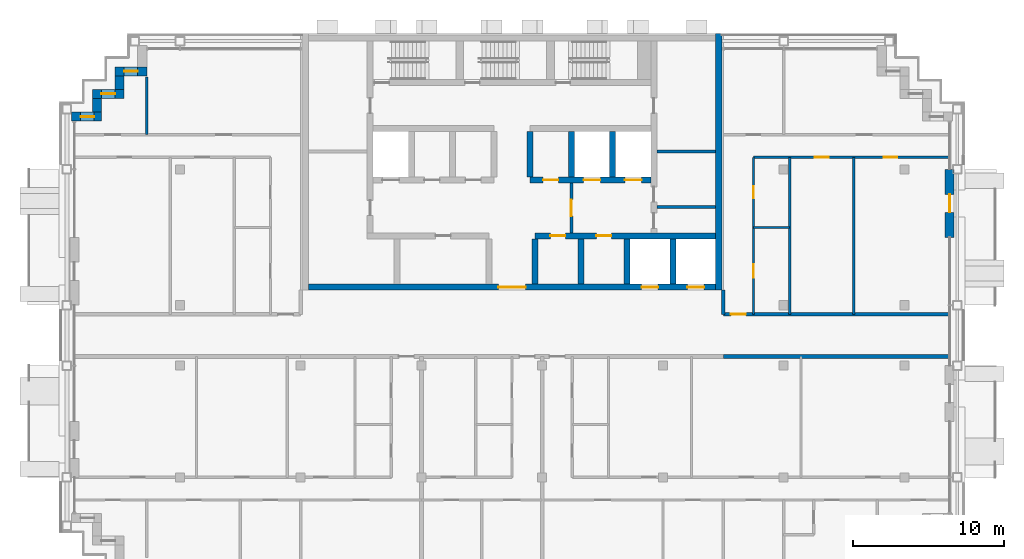
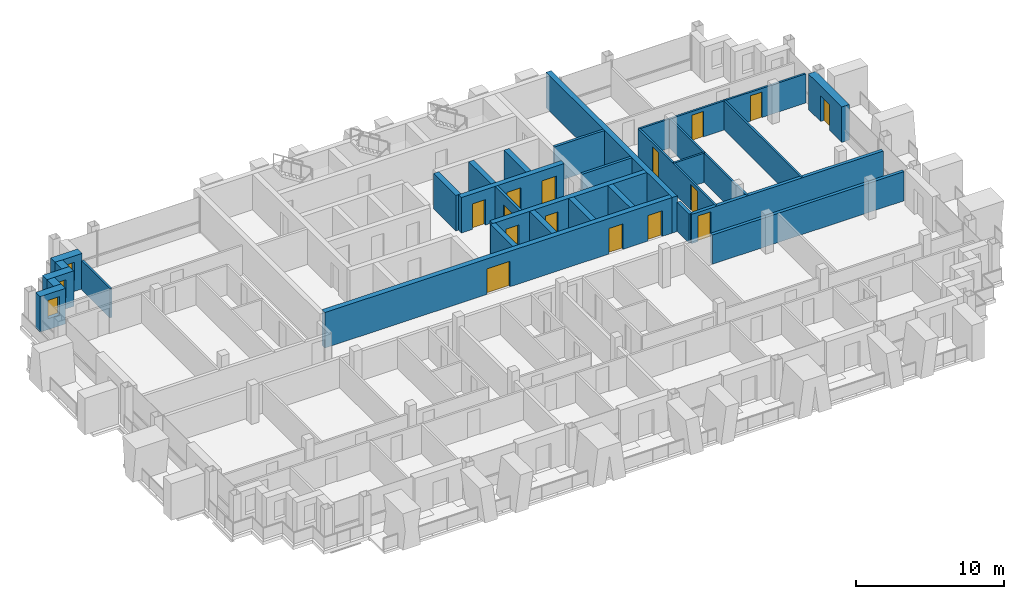
# One storey, part 10 of 16: 29 walls, 15 doors, 3 windows, 18 openings.
"""IFC4 building model written with IfcOpenShell, lengths in metres."""

import ifcopenshell
import ifcopenshell.guid

model = None  # the IFC model being written
_history = None  # IfcOwnerHistory: only IFC2X3 demands one
_inside = {}  # id of a spatial element -> (the spatial element, [elements in it])
_under = {}  # id of a project, library or spatial element -> (it, [spatial elements below it])
_declared = {}  # id of a project -> (the project, [libraries it declares])
_typed = {}  # id of a type object -> (the type object, [elements of that type])
_made_of = {}  # id of a material, layer set ... -> (it, [elements and type objects made of it])


def new_model(schema):
    """Start an empty IFC model of exactly this schema.

    Asked for "IFC4X3", IfcOpenShell would pick the latest addendum, in which some entities
    have other attributes; the version numbers below select the first issue.
    IFC2X3 requires an IfcOwnerHistory on every rooted entity: one is made here for all.
    """
    global model, _history
    if schema == "IFC4X3":
        model = ifcopenshell.file(schema_version=(4, 3, 0, 0))
    else:
        model = ifcopenshell.file(schema=schema)
    _inside.clear()
    _under.clear()
    _declared.clear()
    _typed.clear()
    _made_of.clear()
    _history = None
    if model.schema == "IFC2X3":
        org = make("IfcOrganization", Name="unknown")
        user = make(
            "IfcPersonAndOrganization",
            ThePerson=make("IfcPerson", FamilyName="unknown"),
            TheOrganization=org,
        )
        app = make(
            "IfcApplication",
            ApplicationDeveloper=org,
            Version="unknown",
            ApplicationFullName="unknown",
            ApplicationIdentifier="unknown",
        )
        _history = make(
            "IfcOwnerHistory",
            OwningUser=user,
            OwningApplication=app,
            ChangeAction="ADDED",
            CreationDate=0,
        )
    return model


def make(cls, **values):
    """One entity of the class cls with the attributes given. An attribute that is None is left unset."""
    return model.create_entity(
        cls, **{name: value for name, value in values.items() if value is not None}
    )


def rooted(cls, **values):
    """An entity with a GlobalId (a new one), such as an element, a storey or a relation."""
    return make(cls, GlobalId=ifcopenshell.guid.new(), OwnerHistory=_history, **values)


def si_unit(unit_type, name, prefix=None):
    """IfcSIUnit, for example si_unit("LENGTHUNIT", "METRE", prefix="MILLI")."""
    return make("IfcSIUnit", UnitType=unit_type, Prefix=prefix, Name=name)


def assignment(units):
    """IfcUnitAssignment: the units of a project."""
    return None if units is None else make("IfcUnitAssignment", Units=units)


def point(xyz):
    """IfcCartesianPoint."""
    return None if xyz is None else make("IfcCartesianPoint", Coordinates=xyz)


def direction(xyz):
    """IfcDirection."""
    return None if xyz is None else make("IfcDirection", DirectionRatios=xyz)


def frame(location, z_axis=None, x_axis=None):
    """IfcAxis2Placement3D, a coordinate frame: its origin and axes. An axis left out is left unset."""
    return make(
        "IfcAxis2Placement3D",
        Location=point(location),
        Axis=direction(z_axis),
        RefDirection=direction(x_axis),
    )


def frame_2d(location, x_axis=None):
    """IfcAxis2Placement2D, a coordinate frame in the plane: its origin and x axis."""
    return make(
        "IfcAxis2Placement2D", Location=point(location), RefDirection=direction(x_axis)
    )


def origin():
    """The frame at (0, 0, 0) with its axes left unset."""
    return frame((0.0, 0.0, 0.0))


def place(relative_to, where):
    """IfcLocalPlacement: puts the frame where relative to a parent placement (None: the world)."""
    return make(
        "IfcLocalPlacement", PlacementRelTo=relative_to, RelativePlacement=where
    )


def context(
    kind, dimensions, precision=None, world=None, true_north=None, identifier=None
):
    """IfcGeometricRepresentationContext, for example the 3D "Model" context."""
    return make(
        "IfcGeometricRepresentationContext",
        ContextIdentifier=identifier,
        ContextType=kind,
        CoordinateSpaceDimension=dimensions,
        Precision=precision,
        WorldCoordinateSystem=world,
        TrueNorth=true_north,
    )


def subcontext(parent, identifier, kind, view, scale=None):
    """IfcGeometricRepresentationSubContext, for example "Body" below "Model"."""
    return make(
        "IfcGeometricRepresentationSubContext",
        ContextIdentifier=identifier,
        ContextType=kind,
        ParentContext=parent,
        TargetScale=scale,
        TargetView=view,
    )


def project(units=None, contexts=None):
    """IfcProject with its units and contexts."""
    return rooted(
        "IfcProject",
        Name="project",
        RepresentationContexts=contexts,
        UnitsInContext=assignment(units),
    )


def spatial(cls, under=None, at=None, **own):
    """A site, building, storey or space (cls), placed at a placement, below another one or the project."""
    s = rooted(cls, ObjectPlacement=at, **own)
    if under is not None:
        _under.setdefault(under.id(), (under, []))[1].append(s)
    return s


def profile(cls, at=None, kind="AREA", **sizes):
    """A parametric profile (cls). Its sizes go by their IFC names, for example OverallWidth=200.0."""
    return make(cls, ProfileType=kind, Position=at, **sizes)


def rectangle(**sizes):
    """IfcRectangleProfileDef."""
    return profile("IfcRectangleProfileDef", **sizes)


def extrude(swept, where, along, depth):
    """IfcExtrudedAreaSolid: the profile swept, set in the frame where, extruded along a direction by depth."""
    return make(
        "IfcExtrudedAreaSolid",
        SweptArea=swept,
        Position=where,
        ExtrudedDirection=direction(along),
        Depth=depth,
    )


def shape(context_of_items, identifier, shape_type, items):
    """IfcShapeRepresentation: the items that make up one representation, for example the "Body"."""
    return make(
        "IfcShapeRepresentation",
        ContextOfItems=context_of_items,
        RepresentationIdentifier=identifier,
        RepresentationType=shape_type,
        Items=items,
    )


def material(Name=None, Category=None):
    """IfcMaterial."""
    return make("IfcMaterial", Name=Name, Category=Category)


def layer(
    of_material, thickness, ventilated=None, Name=None, Category=None, Priority=None
):
    """IfcMaterialLayer: one layer of a wall or slab, of a material (None: an air gap)."""
    return make(
        "IfcMaterialLayer",
        Material=of_material,
        LayerThickness=thickness,
        IsVentilated=ventilated,
        Name=Name,
        Category=Category,
        Priority=Priority,
    )


def layer_set(layers, Name=None):
    """IfcMaterialLayerSet."""
    return make("IfcMaterialLayerSet", MaterialLayers=layers, LayerSetName=Name)


def made_of(thing, what):
    """Note that an element or type object is made of a material, layer set ...; save() writes the relation."""
    if what is not None:
        _made_of.setdefault(what.id(), (what, []))[1].append(thing)
    return thing


def type_object(cls, material=None, **own):
    """A type object (cls), such as IfcWallType, which elements share."""
    return made_of(rooted(cls, **own), material)


def element(
    cls,
    number,
    at=None,
    inside=None,
    cuts=None,
    type_object=None,
    material=None,
    context=None,
    identifier="Body",
    shape_type=None,
    held_by="IfcProductDefinitionShape",
    body=None,
    shapes=None,
    **own,
):
    """One element of the class cls, such as IfcWall. Its Tag is "e" and its number.

    at: its placement. inside: the storey or other place that contains it. cuts: it is an
    opening in that element (IfcRelVoidsElement). A single representation is given by context,
    identifier, shape_type and body (its items); several are given by shapes. held_by: the class
    of the entity that holds the representations. save() writes the other relations.
    """
    e = rooted(cls, Tag="e%d" % number, ObjectPlacement=at, **own)
    if body is not None:
        shapes = [shape(context, identifier, shape_type, body)]
    if shapes is not None:
        e.Representation = make(held_by, Representations=shapes)
    if inside is not None:
        _inside.setdefault(inside.id(), (inside, []))[1].append(e)
    if cuts is not None:
        rooted(
            "IfcRelVoidsElement", RelatingBuildingElement=cuts, RelatedOpeningElement=e
        )
    if type_object is not None:
        _typed.setdefault(type_object.id(), (type_object, []))[1].append(e)
    return made_of(e, material)


def fill(opening, filler):
    """IfcRelFillsElement: the door or window that sits in an opening."""
    return rooted(
        "IfcRelFillsElement",
        RelatingOpeningElement=opening,
        RelatedBuildingElement=filler,
    )


def aggregate(whole, parts):
    """IfcRelAggregates: a whole, such as a stair, and the parts it consists of."""
    return rooted("IfcRelAggregates", RelatingObject=whole, RelatedObjects=parts)


def save(model, path):
    """Write the relations noted so far, then the file.

    IfcRelAggregates (storeys below a building ...), IfcRelContainedInSpatialStructure (elements
    in a storey), IfcRelDefinesByType, IfcRelAssociatesMaterial and IfcRelDeclares: one each for
    every whole, place, type object, material and project.
    """
    for whole, parts in _under.values():
        aggregate(whole, parts)
    for where, things in _inside.values():
        rooted(
            "IfcRelContainedInSpatialStructure",
            RelatedElements=things,
            RelatingStructure=where,
        )
    for kind, things in _typed.values():
        rooted("IfcRelDefinesByType", RelatedObjects=things, RelatingType=kind)
    for what, things in _made_of.values():
        rooted("IfcRelAssociatesMaterial", RelatedObjects=things, RelatingMaterial=what)
    for by, libraries in _declared.values():
        rooted("IfcRelDeclares", RelatingContext=by, RelatedDefinitions=libraries)
    model.write(path)


model = new_model("IFC4")

# Units and contexts
model_context = context("Model", 3, precision=1e-05, world=origin(), true_north=direction((0.0, 1.0)))
body_context = subcontext(model_context, "Body", "Model", "MODEL_VIEW")
ifc_project = project(units=[si_unit("LENGTHUNIT", "METRE"), si_unit("AREAUNIT", "SQUARE_METRE"), si_unit("VOLUMEUNIT", "CUBIC_METRE"), si_unit("PLANEANGLEUNIT", "RADIAN"), si_unit("MASSUNIT", "GRAM", prefix="KILO")], contexts=[model_context])

# Site, building, storey
site_placement = place(None, origin())
site = spatial("IfcSite", under=ifc_project, at=site_placement, CompositionType="ELEMENT")
building_placement = place(site_placement, origin())
building = spatial("IfcBuilding", under=site, at=building_placement, Name="Vidyagriha Tower", CompositionType="ELEMENT")
storey_placement = place(building_placement, frame((0.0, 0.0, 217.199951171875)))
storey = spatial("IfcBuildingStorey", under=building, at=storey_placement, Name="L56", CompositionType="ELEMENT", Elevation=217.199951171875)

# Wall, opening, window
ifc_material_1 = material(Name="Precast concrete C40/50 with brick facing", Category="concrete")
ifc_layer_1 = layer(ifc_material_1, 0.60009765625)
ifc_layer_set_1 = layer_set([ifc_layer_1], Name="Precast concrete C40/50 with brick facing")
wall_type_1 = type_object("IfcWallType", Name="Brick-faced precast wall 600", PredefinedType="STANDARD", material=ifc_layer_set_1)
wall_1_placement = place(storey_placement, frame((-24.199951171875, 17.5, 0.0), z_axis=(0.0, 0.0, 1.0), x_axis=(-1.0, 0.0, 0.0)))
wall_1 = element("IfcWall", 1, at=wall_1_placement, inside=storey, type_object=wall_type_1, Name="Stepped corner wall L56 R11", PredefinedType="STANDARD", context=body_context, shape_type="SweptSolid", body=[
    extrude(rectangle(XDim=2.10009765625, YDim=0.60009765625, at=frame_2d((1.050048828125, 0.0))), origin(), (0.0, 0.0, 1.0), 2.920166015625),
])
opening_1_placement = place(wall_1_placement, frame((0.60009765625, 0.0, 0.89990234375)))
opening_1 = element("IfcOpeningElement", 2, at=opening_1_placement, cuts=wall_1, Name="Opening WN1", PredefinedType="OPENING", context=body_context, shape_type="SweptSolid", body=[
    extrude(rectangle(XDim=0.89990234375, YDim=1.5, at=frame_2d((0.449951171875, 0.75))), frame((0.0, 0.31005859375, 0.0), z_axis=(0.0, -1.0, 0.0), x_axis=(1.0, 0.0, 0.0)), (0.0, 0.0, 1.0), 0.6201171875),
])
ifc_material_2 = material(Name="Aluminium and glass window", Category="aluminium")
window_type = type_object("IfcWindowType", Name="Reveal window 900x1500", PartitioningType="NOTDEFINED", PredefinedType="WINDOW", material=ifc_material_2)
window_1_placement = place(opening_1_placement, origin())
window_1 = element("IfcWindow", 3, at=window_1_placement, inside=storey, type_object=window_type, Name="Reveal window L56 R11", OverallHeight=1.5, OverallWidth=0.89990234375, PartitioningType="SINGLE_PANEL", PredefinedType="WINDOW", context=body_context, shape_type="SweptSolid", body=[
    extrude(rectangle(XDim=0.89990234375, YDim=1.5, at=frame_2d((0.449951171875, 0.75))), frame((0.0, 0.030029296875, 0.0), z_axis=(0.0, -1.0, 0.0), x_axis=(1.0, 0.0, 0.0)), (0.0, 0.0, 1.0), 0.06005859375),
])
fill(opening_1, window_1)

# Wall
wall_2_placement = place(storey_placement, frame((-26.0, 17.199951171875, 0.0), z_axis=(0.0, 0.0, 1.0), x_axis=(0.0, -1.0, 0.0)))
element("IfcWall", 4, at=wall_2_placement, inside=storey, type_object=wall_type_1, Name="Stepped corner wall L56 R12", PredefinedType="STANDARD", context=body_context, shape_type="SweptSolid", body=[
    extrude(rectangle(XDim=0.89990234375, YDim=0.60009765625, at=frame_2d((0.449951171875, 0.0))), origin(), (0.0, 0.0, 1.0), 2.920166015625),
])

# Wall, opening, window
wall_3_placement = place(storey_placement, frame((-25.699951171875, 16.0, 0.0), z_axis=(0.0, 0.0, 1.0), x_axis=(-1.0, 0.0, 0.0)))
wall_3 = element("IfcWall", 5, at=wall_3_placement, inside=storey, type_object=wall_type_1, Name="Stepped corner wall L56 R13", PredefinedType="STANDARD", context=body_context, shape_type="SweptSolid", body=[
    extrude(rectangle(XDim=2.10009765625, YDim=0.60009765625, at=frame_2d((1.050048828125, 0.0))), origin(), (0.0, 0.0, 1.0), 2.920166015625),
])
opening_2_placement = place(wall_3_placement, frame((0.60009765625, 0.0, 0.89990234375)))
opening_2 = element("IfcOpeningElement", 6, at=opening_2_placement, cuts=wall_3, Name="Opening WN1", PredefinedType="OPENING", context=body_context, shape_type="SweptSolid", body=[
    extrude(rectangle(XDim=0.89990234375, YDim=1.5, at=frame_2d((0.449951171875, 0.75))), frame((0.0, 0.31005859375, 0.0), z_axis=(0.0, -1.0, 0.0), x_axis=(1.0, 0.0, 0.0)), (0.0, 0.0, 1.0), 0.6201171875),
])
window_2_placement = place(opening_2_placement, origin())
window_2 = element("IfcWindow", 7, at=window_2_placement, inside=storey, type_object=window_type, Name="Reveal window L56 R13", OverallHeight=1.5, OverallWidth=0.89990234375, PartitioningType="SINGLE_PANEL", PredefinedType="WINDOW", context=body_context, shape_type="SweptSolid", body=[
    extrude(rectangle(XDim=0.89990234375, YDim=1.5, at=frame_2d((0.449951171875, 0.75))), frame((0.0, 0.030029296875, 0.0), z_axis=(0.0, -1.0, 0.0), x_axis=(1.0, 0.0, 0.0)), (0.0, 0.0, 1.0), 0.06005859375),
])
fill(opening_2, window_2)

# Wall
wall_4_placement = place(storey_placement, frame((-27.5, 15.699951171875, 0.0), z_axis=(0.0, 0.0, 1.0), x_axis=(0.0, -1.0, 0.0)))
element("IfcWall", 8, at=wall_4_placement, inside=storey, type_object=wall_type_1, Name="Stepped corner wall L56 R14", PredefinedType="STANDARD", context=body_context, shape_type="SweptSolid", body=[
    extrude(rectangle(XDim=0.89990234375, YDim=0.60009765625, at=frame_2d((0.449951171875, 0.0))), origin(), (0.0, 0.0, 1.0), 2.920166015625),
])

# Wall, opening, window
wall_5_placement = place(storey_placement, frame((-27.199951171875, 14.5, 0.0), z_axis=(0.0, 0.0, 1.0), x_axis=(-1.0, 0.0, 0.0)))
wall_5 = element("IfcWall", 9, at=wall_5_placement, inside=storey, type_object=wall_type_1, Name="Stepped corner wall L56 R15", PredefinedType="STANDARD", context=body_context, shape_type="SweptSolid", body=[
    extrude(rectangle(XDim=2.0, YDim=0.60009765625, at=frame_2d((1.0, 0.0))), origin(), (0.0, 0.0, 1.0), 2.920166015625),
])
opening_3_placement = place(wall_5_placement, frame((0.489990234375, 0.0, 0.89990234375)))
opening_3 = element("IfcOpeningElement", 10, at=opening_3_placement, cuts=wall_5, Name="Opening WN1", PredefinedType="OPENING", context=body_context, shape_type="SweptSolid", body=[
    extrude(rectangle(XDim=0.89990234375, YDim=1.5, at=frame_2d((0.449951171875, 0.75))), frame((0.0, 0.31005859375, 0.0), z_axis=(0.0, -1.0, 0.0), x_axis=(1.0, 0.0, 0.0)), (0.0, 0.0, 1.0), 0.6201171875),
])
window_3_placement = place(opening_3_placement, origin())
window_3 = element("IfcWindow", 11, at=window_3_placement, inside=storey, type_object=window_type, Name="Reveal window L56 R15", OverallHeight=1.5, OverallWidth=0.89990234375, PartitioningType="SINGLE_PANEL", PredefinedType="WINDOW", context=body_context, shape_type="SweptSolid", body=[
    extrude(rectangle(XDim=0.89990234375, YDim=1.5, at=frame_2d((0.449951171875, 0.75))), frame((0.0, 0.030029296875, 0.0), z_axis=(0.0, -1.0, 0.0), x_axis=(1.0, 0.0, 0.0)), (0.0, 0.0, 1.0), 0.06005859375),
])
fill(opening_3, window_3)

# Wall, opening, door
wall_6_placement = place(storey_placement, frame((29.0, 6.5, 0.0), z_axis=(0.0, 0.0, 1.0), x_axis=(0.0, 1.0, 0.0)))
wall_6 = element("IfcWall", 12, at=wall_6_placement, inside=storey, type_object=wall_type_1, Name="Brick door bay wall L56 R30.6", PredefinedType="STANDARD", context=body_context, shape_type="SweptSolid", body=[
    extrude(rectangle(XDim=4.5, YDim=0.60009765625, at=frame_2d((2.25, 0.0))), origin(), (0.0, 0.0, 1.0), 2.920166015625),
])
opening_4_placement = place(wall_6_placement, frame((1.64990234375, 0.0, 0.0)))
opening_4 = element("IfcOpeningElement", 13, at=opening_4_placement, cuts=wall_6, Name="Opening D56-68", PredefinedType="OPENING", context=body_context, shape_type="SweptSolid", body=[
    extrude(rectangle(XDim=1.199951171875, YDim=2.10009765625, at=frame_2d((0.60009765625, 1.050048828125))), frame((0.0, 0.31005859375, 0.0), z_axis=(0.0, -1.0, 0.0), x_axis=(1.0, 0.0, 0.0)), (0.0, 0.0, 1.0), 0.6201171875),
])
ifc_material_3 = material(Name="Aluminium framed glazed sliding door", Category="aluminium")
door_type_1 = type_object("IfcDoorType", Name="Balcony sliding door 1200x2100", OperationType="NOTDEFINED", PredefinedType="DOOR", material=ifc_material_3)
door_1_placement = place(opening_4_placement, origin())
door_1 = element("IfcDoor", 14, at=door_1_placement, inside=storey, type_object=door_type_1, Name="Door D56-68", OperationType="SLIDING_TO_LEFT", OverallHeight=2.10009765625, OverallWidth=1.199951171875, PredefinedType="DOOR", context=body_context, shape_type="SweptSolid", body=[
    extrude(rectangle(XDim=1.199951171875, YDim=2.10009765625, at=frame_2d((0.60009765625, 1.050048828125))), frame((0.0, 0.02490234375, 0.0), z_axis=(0.0, -1.0, 0.0), x_axis=(1.0, 0.0, 0.0)), (0.0, 0.0, 1.0), 0.050048828125),
])
fill(opening_4, door_1)

# Wall
ifc_material_4 = material(Name="Concrete C60/75", Category="concrete")
ifc_layer_2 = layer(ifc_material_4, 0.39990234375)
ifc_layer_set_2 = layer_set([ifc_layer_2], Name="Concrete C60/75")
wall_type_2 = type_object("IfcWallType", Name="Core shear wall 400 mm", PredefinedType="SHEAR", material=ifc_layer_set_2)
wall_7_placement = place(storey_placement, frame((13.699951171875, 3.0, 0.0), z_axis=(0.0, 0.0, 1.0), x_axis=(0.0, 1.0, 0.0)))
element("IfcWall", 15, at=wall_7_placement, inside=storey, type_object=wall_type_2, Name="Core east wall", PredefinedType="SHEAR", context=body_context, shape_type="SweptSolid", body=[
    extrude(rectangle(XDim=17.0, YDim=0.39990234375, at=frame_2d((8.5, 0.0))), origin(), (0.0, 0.0, 1.0), 2.920166015625),
])

# Wall, openings, doors
wall_8_placement = place(storey_placement, frame((-13.5, 3.199951171875, 0.0)))
wall_8 = element("IfcWall", 16, at=wall_8_placement, inside=storey, type_object=wall_type_2, Name="Core front wall", PredefinedType="SHEAR", context=body_context, shape_type="SweptSolid", body=[
    extrude(rectangle(XDim=27.0, YDim=0.39990234375, at=frame_2d((13.5, 0.0))), origin(), (0.0, 0.0, 1.0), 2.920166015625),
])
opening_5_placement = place(wall_8_placement, frame((22.083251953125, 0.0, 0.0)))
opening_5 = element("IfcOpeningElement", 17, at=opening_5_placement, cuts=wall_8, Name="Opening LD56-01", PredefinedType="OPENING", context=body_context, shape_type="SweptSolid", body=[
    extrude(rectangle(XDim=1.10009765625, YDim=2.10009765625, at=frame_2d((0.550048828125, 1.050048828125))), frame((0.0, 0.2099609375, 0.0), z_axis=(0.0, -1.0, 0.0), x_axis=(1.0, 0.0, 0.0)), (0.0, 0.0, 1.0), 0.419921875),
])
opening_6_placement = place(wall_8_placement, frame((25.127685546875, 0.0, 0.0)))
opening_6 = element("IfcOpeningElement", 18, at=opening_6_placement, cuts=wall_8, Name="Opening LD56-02", PredefinedType="OPENING", context=body_context, shape_type="SweptSolid", body=[
    extrude(rectangle(XDim=1.10009765625, YDim=2.10009765625, at=frame_2d((0.550048828125, 1.050048828125))), frame((0.0, 0.2099609375, 0.0), z_axis=(0.0, -1.0, 0.0), x_axis=(1.0, 0.0, 0.0)), (0.0, 0.0, 1.0), 0.419921875),
])
opening_7_placement = place(wall_8_placement, frame((12.60009765625, 0.0, 0.0)))
opening_7 = element("IfcOpeningElement", 19, at=opening_7_placement, cuts=wall_8, Name="Opening D56-01", PredefinedType="OPENING", context=body_context, shape_type="SweptSolid", body=[
    extrude(rectangle(XDim=1.800048828125, YDim=2.10009765625, at=frame_2d((0.89990234375, 1.050048828125))), frame((0.0, 0.2099609375, 0.0), z_axis=(0.0, -1.0, 0.0), x_axis=(1.0, 0.0, 0.0)), (0.0, 0.0, 1.0), 0.419921875),
])
ifc_material_5 = material(Name="Hollow metal door leaf")
door_type_2 = type_object("IfcDoorType", Name="Core lobby double door 1800 x 2100 mm EI 60", OperationType="NOTDEFINED", PredefinedType="DOOR", material=ifc_material_5)
door_2_placement = place(opening_7_placement, frame((1.800048828125, 0.0, 0.0), z_axis=(0.0, 0.0, 1.0), x_axis=(-1.0, 0.0, 0.0)))
door_2 = element("IfcDoor", 20, at=door_2_placement, inside=storey, type_object=door_type_2, Name="Core entrance door L56", OperationType="DOUBLE_DOOR_SINGLE_SWING", OverallHeight=2.10009765625, OverallWidth=1.800048828125, PredefinedType="DOOR", context=body_context, shape_type="SweptSolid", body=[
    extrude(rectangle(XDim=1.800048828125, YDim=2.10009765625, at=frame_2d((0.89990234375, 1.050048828125))), frame((0.0, 0.02490234375, 0.0), z_axis=(0.0, -1.0, 0.0), x_axis=(1.0, 0.0, 0.0)), (0.0, 0.0, 1.0), 0.050048828125),
])
fill(opening_7, door_2)
ifc_material_6 = material(Name="Stainless steel sliding door panel", Category="steel")
door_type_3 = type_object("IfcDoorType", Name="Lift landing door 1100 x 2100 mm EI 90", OperationType="NOTDEFINED", PredefinedType="DOOR", material=ifc_material_6)
door_3_placement = place(opening_5_placement, origin())
door_3 = element("IfcDoor", 21, at=door_3_placement, inside=storey, type_object=door_type_3, Name="Landing door MR1 L56", OperationType="SLIDING_TO_LEFT", OverallHeight=2.10009765625, OverallWidth=1.10009765625, PredefinedType="DOOR", context=body_context, shape_type="SweptSolid", body=[
    extrude(rectangle(XDim=1.10009765625, YDim=2.10009765625, at=frame_2d((0.550048828125, 1.050048828125))), frame((0.0, 0.02490234375, 0.0), z_axis=(0.0, -1.0, 0.0), x_axis=(1.0, 0.0, 0.0)), (0.0, 0.0, 1.0), 0.050048828125),
])
fill(opening_5, door_3)
door_4_placement = place(opening_6_placement, origin())
door_4 = element("IfcDoor", 22, at=door_4_placement, inside=storey, type_object=door_type_3, Name="Landing door MR2 L56", OperationType="SLIDING_TO_LEFT", OverallHeight=2.10009765625, OverallWidth=1.10009765625, PredefinedType="DOOR", context=body_context, shape_type="SweptSolid", body=[
    extrude(rectangle(XDim=1.10009765625, YDim=2.10009765625, at=frame_2d((0.550048828125, 1.050048828125))), frame((0.0, 0.02490234375, 0.0), z_axis=(0.0, -1.0, 0.0), x_axis=(1.0, 0.0, 0.0)), (0.0, 0.0, 1.0), 0.050048828125),
])
fill(opening_6, door_4)

wall_9_placement = place(storey_placement, frame((1.522216796875, 6.60009765625, 0.0)))
wall_9 = element("IfcWall", 23, at=wall_9_placement, inside=storey, type_object=wall_type_2, Name="Core lobby south wall east", PredefinedType="SHEAR", context=body_context, shape_type="SweptSolid", body=[
    extrude(rectangle(XDim=11.977783203125, YDim=0.39990234375, at=frame_2d((5.98876953125, 0.0))), origin(), (0.0, 0.0, 1.0), 2.920166015625),
])
opening_8_placement = place(wall_9_placement, frame((1.022216796875, 0.0, 0.0)))
opening_8 = element("IfcOpeningElement", 24, at=opening_8_placement, cuts=wall_9, Name="Opening D56-03", PredefinedType="OPENING", context=body_context, shape_type="SweptSolid", body=[
    extrude(rectangle(XDim=1.0, YDim=2.10009765625, at=frame_2d((0.5, 1.050048828125))), frame((0.0, 0.2099609375, 0.0), z_axis=(0.0, -1.0, 0.0), x_axis=(1.0, 0.0, 0.0)), (0.0, 0.0, 1.0), 0.419921875),
])
opening_9_placement = place(wall_9_placement, frame((4.066650390625, 0.0, 0.0)))
opening_9 = element("IfcOpeningElement", 25, at=opening_9_placement, cuts=wall_9, Name="Opening D56-04", PredefinedType="OPENING", context=body_context, shape_type="SweptSolid", body=[
    extrude(rectangle(XDim=1.0, YDim=2.10009765625, at=frame_2d((0.5, 1.050048828125))), frame((0.0, 0.2099609375, 0.0), z_axis=(0.0, -1.0, 0.0), x_axis=(1.0, 0.0, 0.0)), (0.0, 0.0, 1.0), 0.419921875),
])
ifc_material_7 = material(Name="Hollow metal door leaf")
door_type_4 = type_object("IfcDoorType", Name="Core room door 1000 x 2100 mm EI 60", OperationType="NOTDEFINED", PredefinedType="DOOR", material=ifc_material_7)
door_5_placement = place(opening_8_placement, origin())
door_5 = element("IfcDoor", 26, at=door_5_placement, inside=storey, type_object=door_type_4, Name="Door Pressurisation Plant Room 56.02", OperationType="SINGLE_SWING_RIGHT", OverallHeight=2.10009765625, OverallWidth=1.0, PredefinedType="DOOR", context=body_context, shape_type="SweptSolid", body=[
    extrude(rectangle(XDim=1.0, YDim=2.10009765625, at=frame_2d((0.5, 1.050048828125))), frame((0.0, 0.02490234375, 0.0), z_axis=(0.0, -1.0, 0.0), x_axis=(1.0, 0.0, 0.0)), (0.0, 0.0, 1.0), 0.050048828125),
])
fill(opening_8, door_5)
door_6_placement = place(opening_9_placement, origin())
door_6 = element("IfcDoor", 27, at=door_6_placement, inside=storey, type_object=door_type_4, Name="Door Mechanical Riser Room 56.03", OperationType="SINGLE_SWING_RIGHT", OverallHeight=2.10009765625, OverallWidth=1.0, PredefinedType="DOOR", context=body_context, shape_type="SweptSolid", body=[
    extrude(rectangle(XDim=1.0, YDim=2.10009765625, at=frame_2d((0.5, 1.050048828125))), frame((0.0, 0.02490234375, 0.0), z_axis=(0.0, -1.0, 0.0), x_axis=(1.0, 0.0, 0.0)), (0.0, 0.0, 1.0), 0.050048828125),
])
fill(opening_9, door_6)

# Walls
for number, where, z_axis, x_axis, name in (
    (28, (1.522216796875, 3.39990234375, 0.0), (0.0, 0.0, 1.0), (0.0, 1.0, 0.0), "Core bay wall S5"),
    (29, (4.566650390625, 3.39990234375, 0.0), (0.0, 0.0, 1.0), (0.0, 1.0, 0.0), "Core bay wall S6"),
    (30, (7.611083984375, 3.39990234375, 0.0), (0.0, 0.0, 1.0), (0.0, 1.0, 0.0), "Core bay wall S7"),
    (31, (10.655517578125, 3.39990234375, 0.0), (0.0, 0.0, 1.0), (0.0, 1.0, 0.0), "Core bay wall S8"),
):
    element("IfcWall", number, at=place(storey_placement, frame(where, z_axis=z_axis, x_axis=x_axis)), inside=storey, type_object=wall_type_2, Name=name, PredefinedType="SHEAR", context=body_context, shape_type="SweptSolid", body=[
        extrude(rectangle(XDim=3.0, YDim=0.39990234375, at=frame_2d((1.5, 0.0))), origin(), (0.0, 0.0, 1.0), 2.920166015625),
    ])

# Wall, openings, doors
wall_10_placement = place(storey_placement, frame((1.199951171875, 10.300048828125, 0.0)))
wall_10 = element("IfcWall", 32, at=wall_10_placement, inside=storey, type_object=wall_type_2, Name="Core row N front wall", PredefinedType="SHEAR", context=body_context, shape_type="SweptSolid", body=[
    extrude(rectangle(XDim=8.0, YDim=0.39990234375, at=frame_2d((4.0, 0.0))), origin(), (0.0, 0.0, 1.0), 2.920166015625),
])
opening_10_placement = place(wall_10_placement, frame((3.550048828125, 0.0, 0.0)))
opening_10 = element("IfcOpeningElement", 33, at=opening_10_placement, cuts=wall_10, Name="Opening LD56-04", PredefinedType="OPENING", context=body_context, shape_type="SweptSolid", body=[
    extrude(rectangle(XDim=1.10009765625, YDim=2.10009765625, at=frame_2d((0.550048828125, 1.050048828125))), frame((0.0, 0.2099609375, 0.0), z_axis=(0.0, -1.0, 0.0), x_axis=(1.0, 0.0, 0.0)), (0.0, 0.0, 1.0), 0.419921875),
])
opening_11_placement = place(wall_10_placement, frame((6.283203125, 0.0, 0.0)))
opening_11 = element("IfcOpeningElement", 34, at=opening_11_placement, cuts=wall_10, Name="Opening LD56-05", PredefinedType="OPENING", context=body_context, shape_type="SweptSolid", body=[
    extrude(rectangle(XDim=1.10009765625, YDim=2.10009765625, at=frame_2d((0.550048828125, 1.050048828125))), frame((0.0, 0.2099609375, 0.0), z_axis=(0.0, -1.0, 0.0), x_axis=(1.0, 0.0, 0.0)), (0.0, 0.0, 1.0), 0.419921875),
])
opening_12_placement = place(wall_10_placement, frame((0.86669921875, 0.0, 0.0)))
opening_12 = element("IfcOpeningElement", 35, at=opening_12_placement, cuts=wall_10, Name="Opening D56-07", PredefinedType="OPENING", context=body_context, shape_type="SweptSolid", body=[
    extrude(rectangle(XDim=1.0, YDim=2.10009765625, at=frame_2d((0.5, 1.050048828125))), frame((0.0, 0.2099609375, 0.0), z_axis=(0.0, -1.0, 0.0), x_axis=(1.0, 0.0, 0.0)), (0.0, 0.0, 1.0), 0.419921875),
])
door_7_placement = place(opening_12_placement, frame((1.0, 0.0, 0.0), z_axis=(0.0, 0.0, 1.0), x_axis=(-1.0, 0.0, 0.0)))
door_7 = element("IfcDoor", 36, at=door_7_placement, inside=storey, type_object=door_type_4, Name="Door Pressurisation Plant Room 56.16", OperationType="SINGLE_SWING_LEFT", OverallHeight=2.10009765625, OverallWidth=1.0, PredefinedType="DOOR", context=body_context, shape_type="SweptSolid", body=[
    extrude(rectangle(XDim=1.0, YDim=2.10009765625, at=frame_2d((0.5, 1.050048828125))), frame((0.0, 0.02490234375, 0.0), z_axis=(0.0, -1.0, 0.0), x_axis=(1.0, 0.0, 0.0)), (0.0, 0.0, 1.0), 0.050048828125),
])
fill(opening_12, door_7)
door_8_placement = place(opening_10_placement, origin())
door_8 = element("IfcDoor", 37, at=door_8_placement, inside=storey, type_object=door_type_3, Name="Landing door FF1 L56", OperationType="SLIDING_TO_LEFT", OverallHeight=2.10009765625, OverallWidth=1.10009765625, PredefinedType="DOOR", context=body_context, shape_type="SweptSolid", body=[
    extrude(rectangle(XDim=1.10009765625, YDim=2.10009765625, at=frame_2d((0.550048828125, 1.050048828125))), frame((0.0, 0.02490234375, 0.0), z_axis=(0.0, -1.0, 0.0), x_axis=(1.0, 0.0, 0.0)), (0.0, 0.0, 1.0), 0.050048828125),
])
fill(opening_10, door_8)
door_9_placement = place(opening_11_placement, origin())
door_9 = element("IfcDoor", 38, at=door_9_placement, inside=storey, type_object=door_type_3, Name="Landing door FF2 L56", OperationType="SLIDING_TO_LEFT", OverallHeight=2.10009765625, OverallWidth=1.10009765625, PredefinedType="DOOR", context=body_context, shape_type="SweptSolid", body=[
    extrude(rectangle(XDim=1.10009765625, YDim=2.10009765625, at=frame_2d((0.550048828125, 1.050048828125))), frame((0.0, 0.02490234375, 0.0), z_axis=(0.0, -1.0, 0.0), x_axis=(1.0, 0.0, 0.0)), (0.0, 0.0, 1.0), 0.050048828125),
])
fill(opening_11, door_9)

# Walls
for number, where, z_axis, x_axis, name in (
    (39, (1.199951171875, 10.5, 0.0), (0.0, 0.0, 1.0), (0.0, 1.0, 0.0), "Core bay wall N4"),
    (40, (3.933349609375, 10.5, 0.0), (0.0, 0.0, 1.0), (0.0, 1.0, 0.0), "Core bay wall N5"),
    (41, (6.666748046875, 10.5, 0.0), (0.0, 0.0, 1.0), (0.0, 1.0, 0.0), "Core bay wall N6"),
):
    element("IfcWall", number, at=place(storey_placement, frame(where, z_axis=z_axis, x_axis=x_axis)), inside=storey, type_object=wall_type_2, Name=name, PredefinedType="SHEAR", context=body_context, shape_type="SweptSolid", body=[
        extrude(rectangle(XDim=3.0, YDim=0.39990234375, at=frame_2d((1.5, 0.0))), origin(), (0.0, 0.0, 1.0), 2.920166015625),
    ])
ifc_material_8 = material(Name="Fired clay brick masonry", Category="masonry")
ifc_layer_3 = layer(ifc_material_8, 0.25)
ifc_layer_set_3 = layer_set([ifc_layer_3], Name="Fired clay brick masonry")
wall_type_3 = type_object("IfcWallType", Name="Fired clay brick corridor wall 250", PredefinedType="PARTITIONING", material=ifc_layer_set_3)
wall_11_placement = place(storey_placement, frame((28.919921875, -1.39990234375, 0.0), z_axis=(0.0, 0.0, 1.0), x_axis=(-1.0, 0.0, 0.0)))
element("IfcWall", 42, at=wall_11_placement, inside=storey, type_object=wall_type_3, Name="Wall all-L56-w061", PredefinedType="PARTITIONING", context=body_context, shape_type="SweptSolid", body=[
    extrude(rectangle(XDim=14.919921875, YDim=0.25, at=frame_2d((7.4599609375, 0.0))), origin(), (0.0, 0.0, 1.0), 2.400146484375),
])

# Wall, opening, door
wall_12_placement = place(storey_placement, frame((14.0, 1.39990234375, 0.0)))
wall_12 = element("IfcWall", 43, at=wall_12_placement, inside=storey, type_object=wall_type_3, Name="Wall all-L56-w091", PredefinedType="PARTITIONING", context=body_context, shape_type="SweptSolid", body=[
    extrude(rectangle(XDim=14.919921875, YDim=0.25, at=frame_2d((7.4599609375, 0.0))), origin(), (0.0, 0.0, 1.0), 2.400146484375),
])
opening_13_placement = place(wall_12_placement, frame((0.5, 0.0, 0.0)))
opening_13 = element("IfcOpeningElement", 44, at=opening_13_placement, cuts=wall_12, Name="Opening D56-58", PredefinedType="OPENING", context=body_context, shape_type="SweptSolid", body=[
    extrude(rectangle(XDim=1.0, YDim=2.10009765625, at=frame_2d((0.5, 1.050048828125))), frame((0.0, 0.135009765625, 0.0), z_axis=(0.0, -1.0, 0.0), x_axis=(1.0, 0.0, 0.0)), (0.0, 0.0, 1.0), 0.27001953125),
])
ifc_material_9 = material(Name="Fire-rated timber door leaf EI 60", Category="wood")
door_type_5 = type_object("IfcDoorType", Name="Flat entrance fire door 1000x2100", OperationType="NOTDEFINED", PredefinedType="DOOR", material=ifc_material_9)
door_10_placement = place(opening_13_placement, origin())
door_10 = element("IfcDoor", 45, at=door_10_placement, inside=storey, type_object=door_type_5, Name="Door D56-58", OperationType="SINGLE_SWING_LEFT", OverallHeight=2.10009765625, OverallWidth=1.0, PredefinedType="DOOR", context=body_context, shape_type="SweptSolid", body=[
    extrude(rectangle(XDim=1.0, YDim=2.10009765625, at=frame_2d((0.5, 1.050048828125))), frame((0.0, 0.02490234375, 0.0), z_axis=(0.0, -1.0, 0.0), x_axis=(1.0, 0.0, 0.0)), (0.0, 0.0, 1.0), 0.050048828125),
])
fill(opening_13, door_10)

# Walls
wall_13_placement = place(storey_placement, frame((14.0, 1.39990234375, 0.0), z_axis=(0.0, 0.0, 1.0), x_axis=(0.0, 1.0, 0.0)))
element("IfcWall", 46, at=wall_13_placement, inside=storey, type_object=wall_type_3, Name="Wall all-L56-w094", PredefinedType="PARTITIONING", context=body_context, shape_type="SweptSolid", body=[
    extrude(rectangle(XDim=1.60009765625, YDim=0.25, at=frame_2d((0.800048828125, 0.0))), origin(), (0.0, 0.0, 1.0), 2.400146484375),
])
ifc_material_10 = material(Name="Gypsum board partition")
ifc_layer_4 = layer(ifc_material_10, 0.14990234375)
ifc_layer_set_4 = layer_set([ifc_layer_4], Name="Gypsum board partition")
wall_type_4 = type_object("IfcWallType", Name="Gypsum board partition 150", PredefinedType="PARTITIONING", material=ifc_layer_set_4)
wall_14_placement = place(storey_placement, frame((-24.199951171875, 17.1201171875, 0.0), z_axis=(0.0, 0.0, 1.0), x_axis=(0.0, -1.0, 0.0)))
element("IfcWall", 47, at=wall_14_placement, inside=storey, type_object=wall_type_4, Name="Wall all-L56-w074", PredefinedType="PARTITIONING", context=body_context, shape_type="SweptSolid", body=[
    extrude(rectangle(XDim=3.820068359375, YDim=0.14990234375, at=frame_2d((1.91015625, 0.0))), origin(), (0.0, 0.0, 1.0), 2.400146484375),
])
wall_15_placement = place(storey_placement, frame((16.0, 7.14990234375, 0.0)))
element("IfcWall", 48, at=wall_15_placement, inside=storey, type_object=wall_type_4, Name="Wall all-L56-w080", PredefinedType="PARTITIONING", context=body_context, shape_type="SweptSolid", body=[
    extrude(rectangle(XDim=2.39990234375, YDim=0.14990234375, at=frame_2d((1.199951171875, 0.0))), origin(), (0.0, 0.0, 1.0), 2.400146484375),
])
for number, where, z_axis, x_axis, name in (
    (49, (18.39990234375, 11.800048828125, 0.0), (0.0, 0.0, 1.0), (0.0, -1.0, 0.0), "Wall all-L56-w081"),
    (50, (22.64990234375, 11.800048828125, 0.0), (0.0, 0.0, 1.0), (0.0, -1.0, 0.0), "Wall all-L56-w082"),
):
    element("IfcWall", number, at=place(storey_placement, frame(where, z_axis=z_axis, x_axis=x_axis)), inside=storey, type_object=wall_type_4, Name=name, PredefinedType="PARTITIONING", context=body_context, shape_type="SweptSolid", body=[
        extrude(rectangle(XDim=10.400146484375, YDim=0.14990234375, at=frame_2d((5.2001953125, 0.0))), origin(), (0.0, 0.0, 1.0), 2.400146484375),
    ])

# Wall, openings, doors
wall_16_placement = place(storey_placement, frame((28.919921875, 11.800048828125, 0.0), z_axis=(0.0, 0.0, 1.0), x_axis=(-1.0, 0.0, 0.0)))
wall_16 = element("IfcWall", 51, at=wall_16_placement, inside=storey, type_object=wall_type_4, Name="Wall all-L56-w083", PredefinedType="PARTITIONING", context=body_context, shape_type="SweptSolid", body=[
    extrude(rectangle(XDim=12.919921875, YDim=0.14990234375, at=frame_2d((6.4599609375, 0.0))), origin(), (0.0, 0.0, 1.0), 2.400146484375),
])
opening_14_placement = place(wall_16_placement, frame((7.945068359375, 0.0, 0.0)))
opening_14 = element("IfcOpeningElement", 52, at=opening_14_placement, cuts=wall_16, Name="Opening D56-54", PredefinedType="OPENING", context=body_context, shape_type="SweptSolid", body=[
    extrude(rectangle(XDim=0.89990234375, YDim=2.10009765625, at=frame_2d((0.449951171875, 1.050048828125))), frame((0.0, 0.0849609375, 0.0), z_axis=(0.0, -1.0, 0.0), x_axis=(1.0, 0.0, 0.0)), (0.0, 0.0, 1.0), 0.169921875),
])
opening_15_placement = place(wall_16_placement, frame((3.39599609375, 0.0, 0.0)))
opening_15 = element("IfcOpeningElement", 53, at=opening_15_placement, cuts=wall_16, Name="Opening D56-55", PredefinedType="OPENING", context=body_context, shape_type="SweptSolid", body=[
    extrude(rectangle(XDim=0.89990234375, YDim=2.10009765625, at=frame_2d((0.449951171875, 1.050048828125))), frame((0.0, 0.0849609375, 0.0), z_axis=(0.0, -1.0, 0.0), x_axis=(1.0, 0.0, 0.0)), (0.0, 0.0, 1.0), 0.169921875),
])
ifc_material_11 = material(Name="Timber door leaf", Category="wood")
door_type_6 = type_object("IfcDoorType", Name="Room door 900x2100", OperationType="NOTDEFINED", PredefinedType="DOOR", material=ifc_material_11)
door_11_placement = place(opening_14_placement, origin())
door_11 = element("IfcDoor", 54, at=door_11_placement, inside=storey, type_object=door_type_6, Name="Door D56-54", OperationType="SINGLE_SWING_RIGHT", OverallHeight=2.10009765625, OverallWidth=0.89990234375, PredefinedType="DOOR", context=body_context, shape_type="SweptSolid", body=[
    extrude(rectangle(XDim=0.89990234375, YDim=2.10009765625, at=frame_2d((0.449951171875, 1.050048828125))), frame((0.0, 0.02490234375, 0.0), z_axis=(0.0, -1.0, 0.0), x_axis=(1.0, 0.0, 0.0)), (0.0, 0.0, 1.0), 0.050048828125),
])
fill(opening_14, door_11)
door_12_placement = place(opening_15_placement, origin())
door_12 = element("IfcDoor", 55, at=door_12_placement, inside=storey, type_object=door_type_6, Name="Door D56-55", OperationType="SINGLE_SWING_RIGHT", OverallHeight=2.10009765625, OverallWidth=0.89990234375, PredefinedType="DOOR", context=body_context, shape_type="SweptSolid", body=[
    extrude(rectangle(XDim=0.89990234375, YDim=2.10009765625, at=frame_2d((0.449951171875, 1.050048828125))), frame((0.0, 0.02490234375, 0.0), z_axis=(0.0, -1.0, 0.0), x_axis=(1.0, 0.0, 0.0)), (0.0, 0.0, 1.0), 0.050048828125),
])
fill(opening_15, door_12)

ifc_material_12 = material(Name="Moisture resistant gypsum board partition")
ifc_layer_5 = layer(ifc_material_12, 0.14990234375)
ifc_layer_set_5 = layer_set([ifc_layer_5], Name="Moisture resistant gypsum board partition")
wall_type_5 = type_object("IfcWallType", Name="Gypsum board wet-area partition 150", PredefinedType="PARTITIONING", material=ifc_layer_set_5)
wall_17_placement = place(storey_placement, frame((16.0, 11.800048828125, 0.0), z_axis=(0.0, 0.0, 1.0), x_axis=(0.0, -1.0, 0.0)))
wall_17 = element("IfcWall", 56, at=wall_17_placement, inside=storey, type_object=wall_type_5, Name="Wall all-L56-w077", PredefinedType="PARTITIONING", context=body_context, shape_type="SweptSolid", body=[
    extrude(rectangle(XDim=10.400146484375, YDim=0.14990234375, at=frame_2d((5.2001953125, 0.0))), origin(), (0.0, 0.0, 1.0), 2.400146484375),
])
opening_16_placement = place(wall_17_placement, frame((7.074951171875, 0.0, 0.0)))
opening_16 = element("IfcOpeningElement", 57, at=opening_16_placement, cuts=wall_17, Name="Opening D56-52", PredefinedType="OPENING", context=body_context, shape_type="SweptSolid", body=[
    extrude(rectangle(XDim=0.89990234375, YDim=2.10009765625, at=frame_2d((0.449951171875, 1.050048828125))), frame((0.0, 0.0849609375, 0.0), z_axis=(0.0, -1.0, 0.0), x_axis=(1.0, 0.0, 0.0)), (0.0, 0.0, 1.0), 0.169921875),
])
opening_17_placement = place(wall_17_placement, frame((1.925048828125, 0.0, 0.0)))
opening_17 = element("IfcOpeningElement", 58, at=opening_17_placement, cuts=wall_17, Name="Opening D56-53", PredefinedType="OPENING", context=body_context, shape_type="SweptSolid", body=[
    extrude(rectangle(XDim=0.800048828125, YDim=2.10009765625, at=frame_2d((0.39990234375, 1.050048828125))), frame((0.0, 0.0849609375, 0.0), z_axis=(0.0, -1.0, 0.0), x_axis=(1.0, 0.0, 0.0)), (0.0, 0.0, 1.0), 0.169921875),
])
ifc_material_13 = material(Name="Timber door leaf", Category="wood")
door_type_7 = type_object("IfcDoorType", Name="Bathroom door 800x2100", OperationType="NOTDEFINED", PredefinedType="DOOR", material=ifc_material_13)
door_13_placement = place(opening_17_placement, origin())
door_13 = element("IfcDoor", 59, at=door_13_placement, inside=storey, type_object=door_type_7, Name="Door D56-53", OperationType="SINGLE_SWING_RIGHT", OverallHeight=2.10009765625, OverallWidth=0.800048828125, PredefinedType="DOOR", context=body_context, shape_type="SweptSolid", body=[
    extrude(rectangle(XDim=0.800048828125, YDim=2.10009765625, at=frame_2d((0.39990234375, 1.050048828125))), frame((0.0, 0.02490234375, 0.0), z_axis=(0.0, -1.0, 0.0), x_axis=(1.0, 0.0, 0.0)), (0.0, 0.0, 1.0), 0.050048828125),
])
fill(opening_17, door_13)
ifc_material_14 = material(Name="Timber door leaf", Category="wood")
door_type_8 = type_object("IfcDoorType", Name="Kitchen door 900x2100", OperationType="NOTDEFINED", PredefinedType="DOOR", material=ifc_material_14)
door_14_placement = place(opening_16_placement, origin())
door_14 = element("IfcDoor", 60, at=door_14_placement, inside=storey, type_object=door_type_8, Name="Door D56-52", OperationType="SINGLE_SWING_LEFT", OverallHeight=2.10009765625, OverallWidth=0.89990234375, PredefinedType="DOOR", context=body_context, shape_type="SweptSolid", body=[
    extrude(rectangle(XDim=0.89990234375, YDim=2.10009765625, at=frame_2d((0.449951171875, 1.050048828125))), frame((0.0, 0.02490234375, 0.0), z_axis=(0.0, -1.0, 0.0), x_axis=(1.0, 0.0, 0.0)), (0.0, 0.0, 1.0), 0.050048828125),
])
fill(opening_16, door_14)

# Wall, opening, door
ifc_material_15 = material(Name="Blockwork 15 MPa", Category="masonry")
ifc_layer_6 = layer(ifc_material_15, 0.199951171875)
ifc_layer_set_6 = layer_set([ifc_layer_6], Name="Blockwork 15 MPa")
wall_type_6 = type_object("IfcWallType", Name="Service room partition 200 mm", PredefinedType="PARTITIONING", material=ifc_layer_set_6)
wall_18_placement = place(storey_placement, frame((3.933349609375, 6.800048828125, 0.0), z_axis=(0.0, 0.0, 1.0), x_axis=(0.0, 1.0, 0.0)))
wall_18 = element("IfcWall", 61, at=wall_18_placement, inside=storey, type_object=wall_type_6, Name="Fire-fighting lobby west wall", PredefinedType="PARTITIONING", context=body_context, shape_type="SweptSolid", body=[
    extrude(rectangle(XDim=3.300048828125, YDim=0.199951171875, at=frame_2d((1.64990234375, 0.0))), origin(), (0.0, 0.0, 1.0), 2.920166015625),
])
opening_18_placement = place(wall_18_placement, frame((1.10009765625, 0.0, 0.0)))
opening_18 = element("IfcOpeningElement", 62, at=opening_18_placement, cuts=wall_18, Name="Opening D56-08", PredefinedType="OPENING", context=body_context, shape_type="SweptSolid", body=[
    extrude(rectangle(XDim=1.10009765625, YDim=2.10009765625, at=frame_2d((0.550048828125, 1.050048828125))), frame((0.0, 0.10986328125, 0.0), z_axis=(0.0, -1.0, 0.0), x_axis=(1.0, 0.0, 0.0)), (0.0, 0.0, 1.0), 0.219970703125),
])
ifc_material_16 = material(Name="Hollow metal door leaf")
door_type_9 = type_object("IfcDoorType", Name="Fire-fighting lobby door 1100 x 2100 mm EI 90", OperationType="NOTDEFINED", PredefinedType="DOOR", material=ifc_material_16)
door_15_placement = place(opening_18_placement, origin())
door_15 = element("IfcDoor", 63, at=door_15_placement, inside=storey, type_object=door_type_9, Name="Fire-fighting lobby door L56", OperationType="SINGLE_SWING_RIGHT", OverallHeight=2.10009765625, OverallWidth=1.10009765625, PredefinedType="DOOR", context=body_context, shape_type="SweptSolid", body=[
    extrude(rectangle(XDim=1.10009765625, YDim=2.10009765625, at=frame_2d((0.550048828125, 1.050048828125))), frame((0.0, 0.02490234375, 0.0), z_axis=(0.0, -1.0, 0.0), x_axis=(1.0, 0.0, 0.0)), (0.0, 0.0, 1.0), 0.050048828125),
])
fill(opening_18, door_15)

# Walls
for number, where, name in (
    (64, (9.60009765625, 8.5, 0.0), "Core room partition E1"),
    (65, (9.60009765625, 12.199951171875, 0.0), "Core room partition E2"),
):
    element("IfcWall", number, at=place(storey_placement, frame(where)), inside=storey, type_object=wall_type_6, Name=name, PredefinedType="PARTITIONING", context=body_context, shape_type="SweptSolid", body=[
        extrude(rectangle(XDim=3.89990234375, YDim=0.199951171875, at=frame_2d((1.949951171875, 0.0))), origin(), (0.0, 0.0, 1.0), 2.920166015625),
    ])

save(model, "model.ifc")
